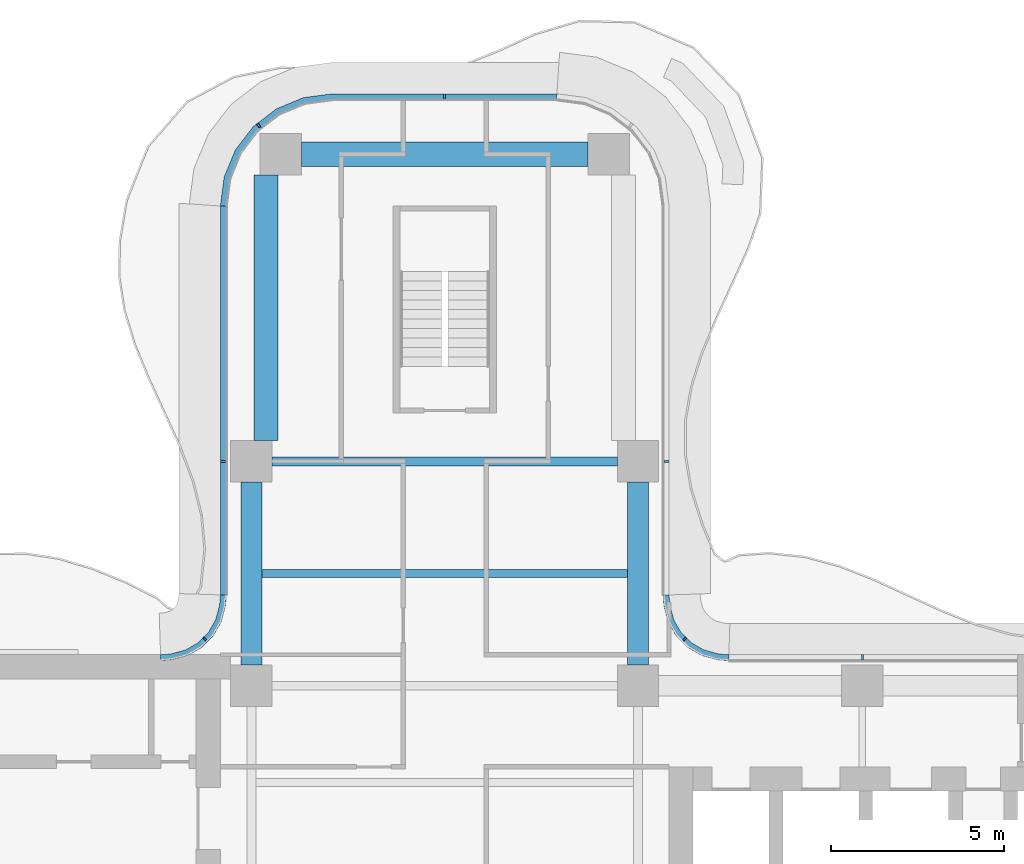
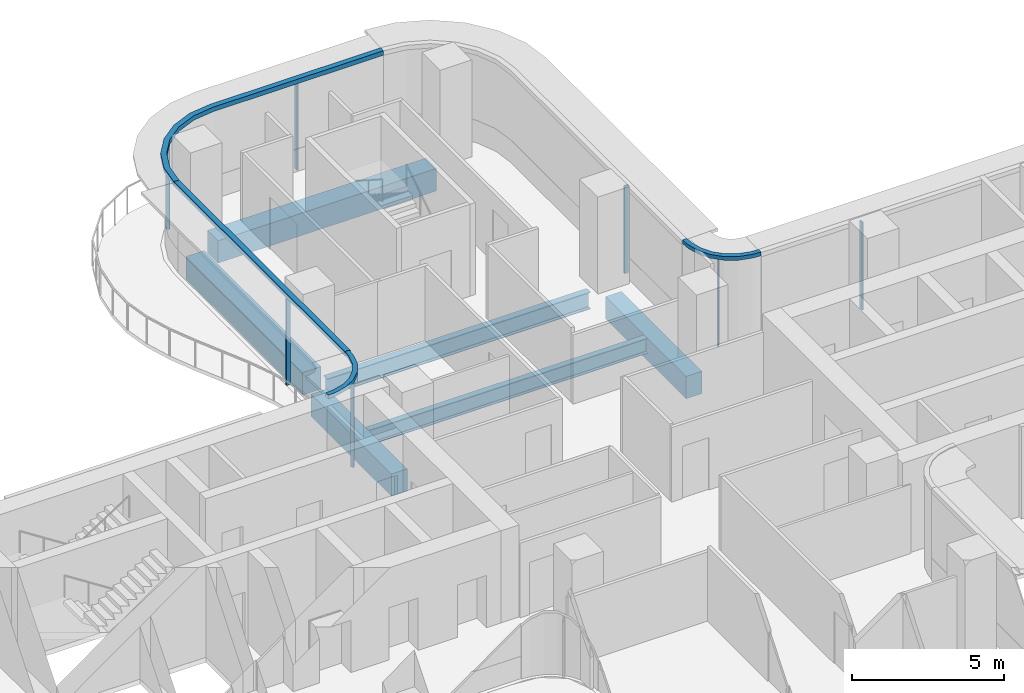
# One storey, part 7 of 18: 11 members, 6 beams, 6 elements without a shape of their own.
"""IFC4 building model written with IfcOpenShell, lengths in metres."""

from ifc_helpers import new_model, si_unit, direction, frame, origin, origin_2d, place, context, subcontext, project, spatial, polyline, rectangle, i_section, outline, extrude, source, transform, mapped, material, layer, layer_set, material_profile, profile_set, type_object, element, aggregate, save


model = new_model("IFC4")

# Units and contexts
model_context = context("Model", 3, precision=1e-05, world=origin(), true_north=direction((0.0, 1.0)))
body_context = subcontext(model_context, "Body", "Model", "MODEL_VIEW")
ifc_project = project(units=[si_unit("LENGTHUNIT", "METRE"), si_unit("AREAUNIT", "SQUARE_METRE"), si_unit("VOLUMEUNIT", "CUBIC_METRE"), si_unit("PLANEANGLEUNIT", "RADIAN"), si_unit("MASSUNIT", "GRAM", prefix="KILO")], contexts=[model_context])

# Site, building, storey
site_placement = place(None, origin())
site = spatial("IfcSite", under=ifc_project, at=site_placement, CompositionType="ELEMENT")
building_placement = place(site_placement, origin())
building = spatial("IfcBuilding", under=site, at=building_placement, Name="Trellis Farm Tower", CompositionType="ELEMENT")
storey_placement = place(building_placement, frame((0.0, 0.0, 201.0)))
storey = spatial("IfcBuildingStorey", under=building, at=storey_placement, Name="L44", CompositionType="ELEMENT", Elevation=201.0)

# Beams
ifc_material_1 = material(Name="Concrete C60/75", Category="concrete")
ifc_material_profile_1 = material_profile(ifc_material_1, rectangle(XDim=0.60009765625, YDim=0.89990234375, at=origin_2d()), Name="RC spandrel beam 600x900 C60/75")
ifc_profile_set_1 = profile_set([ifc_material_profile_1], Name="Concrete C60/75")
beam_type_1 = type_object("IfcBeamType", Name="RC spandrel beam 600x900 C60/75", PredefinedType="SPANDREL", material=ifc_profile_set_1)
shared_shape_1 = source(origin(), body_context, "Body", "SweptSolid", [
    extrude(rectangle(XDim=0.60009765625, YDim=0.89990234375, at=origin_2d()), origin(), (0.0, 0.0, 1.0), 5.300048828125),
])
for number, where, z_axis, x_axis, name in (
    (1, (-5.60009765625, 6.199951171875, -0.64990234375), (0.0, 1.0, 0.0), (-1.0, 0.0, 0.0), "Girder"),
    (2, (5.60009765625, 6.199951171875, -0.64990234375), (0.0, 1.0, 0.0), (-1.0, 0.0, 0.0), "Girder"),
):
    element("IfcBeam", number, at=place(storey_placement, frame(where, z_axis=z_axis, x_axis=x_axis)), inside=storey, type_object=beam_type_1, Name=name, PredefinedType="SPANDREL", context=body_context, shape_type="MappedRepresentation", body=[
        mapped(shared_shape_1, transform((0.0, 0.0, 0.0))),
    ])
ifc_material_2 = material(Name="Steel S355", Category="steel")
ifc_material_profile_2 = material_profile(ifc_material_2, i_section(OverallWidth=0.253662109375, OverallDepth=0.68359375, WebThickness=0.012451171875, FlangeThickness=0.021728515625, FilletRadius=0.01513671875, at=origin_2d()), Name="UB 686x254x140")
ifc_profile_set_2 = profile_set([ifc_material_profile_2], Name="Steel S355")
beam_type_2 = type_object("IfcBeamType", Name="UB 686x254x140", PredefinedType="BEAM", material=ifc_profile_set_2)
shared_shape_2 = source(origin(), body_context, "Body", "SweptSolid", [
    extrude(i_section(OverallWidth=0.253662109375, OverallDepth=0.68359375, WebThickness=0.012451171875, FlangeThickness=0.021728515625, FilletRadius=0.01513671875, at=origin_2d()), origin(), (0.0, 0.0, 1.0), 10.0),
])
beam_1_placement = place(storey_placement, frame((-5.0, 12.10009765625, -0.541748046875), z_axis=(1.0, 0.0, 0.0), x_axis=(0.0, 1.0, 0.0)))
element("IfcBeam", 3, at=beam_1_placement, inside=storey, type_object=beam_type_2, Name="Girder", PredefinedType="BEAM", context=body_context, shape_type="MappedRepresentation", body=[
    mapped(shared_shape_2, transform((0.0, 0.0, 0.0))),
])
ifc_material_profile_3 = material_profile(ifc_material_1, rectangle(XDim=0.699951171875, YDim=0.89990234375, at=origin_2d()), Name="RC spandrel beam 700x900 C60/75")
ifc_profile_set_3 = profile_set([ifc_material_profile_3], Name="Concrete C60/75")
beam_type_3 = type_object("IfcBeamType", Name="RC spandrel beam 700x900 C60/75", PredefinedType="SPANDREL", material=ifc_profile_set_3)
shared_shape_3 = source(origin(), body_context, "Body", "SweptSolid", [
    extrude(rectangle(XDim=0.699951171875, YDim=0.89990234375, at=origin_2d()), origin(), (0.0, 0.0, 1.0), 8.2998046875),
])
beam_2_placement = place(storey_placement, frame((-4.14990234375, 21.0, -0.64990234375), z_axis=(1.0, 0.0, 0.0), x_axis=(0.0, 1.0, 0.0)))
element("IfcBeam", 4, at=beam_2_placement, inside=storey, type_object=beam_type_3, Name="Girder", PredefinedType="SPANDREL", context=body_context, shape_type="MappedRepresentation", body=[
    mapped(shared_shape_3, transform((0.0, 0.0, 0.0))),
])
ifc_material_profile_4 = material_profile(ifc_material_2, i_section(OverallWidth=0.22900390625, OverallDepth=0.6123046875, WebThickness=0.011962890625, FlangeThickness=0.01953125, FilletRadius=0.0126953125, at=origin_2d()), Name="UB 610x229x125")
ifc_profile_set_4 = profile_set([ifc_material_profile_4], Name="Steel S355")
beam_type_4 = type_object("IfcBeamType", Name="UB 610x229x125 joist", PredefinedType="JOIST", material=ifc_profile_set_4)
shared_shape_4 = source(origin(), body_context, "Body", "SweptSolid", [
    extrude(i_section(OverallWidth=0.22900390625, OverallDepth=0.6123046875, WebThickness=0.011962890625, FlangeThickness=0.01953125, FilletRadius=0.0126953125, at=origin_2d()), origin(), (0.0, 0.0, 1.0), 10.60009765625),
])
beam_3_placement = place(storey_placement, frame((-5.300048828125, 8.85009765625, -0.506103515625), z_axis=(1.0, 0.0, 0.0), x_axis=(0.0, 1.0, 0.0)))
element("IfcBeam", 5, at=beam_3_placement, inside=storey, type_object=beam_type_4, Name="Floor beam", PredefinedType="JOIST", context=body_context, shape_type="MappedRepresentation", body=[
    mapped(shared_shape_4, transform((0.0, 0.0, 0.0))),
])
shared_shape_5 = source(origin(), body_context, "Body", "SweptSolid", [
    extrude(rectangle(XDim=0.699951171875, YDim=0.89990234375, at=origin_2d()), origin(), (0.0, 0.0, 1.0), 7.699951171875),
])
beam_4_placement = place(storey_placement, frame((-5.175048828125, 12.699951171875, -0.64990234375), z_axis=(0.0, 1.0, 0.0), x_axis=(-1.0, 0.0, 0.0)))
element("IfcBeam", 6, at=beam_4_placement, inside=storey, type_object=beam_type_3, Name="Girder", PredefinedType="SPANDREL", context=body_context, shape_type="MappedRepresentation", body=[
    mapped(shared_shape_5, transform((0.0, 0.0, 0.0))),
])

# Curtain wall, member
ifc_material_3 = material(Name="Aluminium and glass curtain wall", Category="aluminium")
ifc_layer_1 = layer(ifc_material_3, 0.166015625)
ifc_layer_set_1 = layer_set([ifc_layer_1], Name="WINTER GARDEN CURTAIN WALL CW3")
curtain_wall_type_1 = type_object("IfcCurtainWallType", Name="WINTER GARDEN CURTAIN WALL CW3", PredefinedType="NOTDEFINED", material=ifc_layer_set_1)
placement_1 = place(storey_placement, origin())
curtain_wall_1 = element("IfcCurtainWall", 7, at=placement_1, inside=storey, type_object=curtain_wall_type_1, Name="CW3 003", PredefinedType="NOTDEFINED")
ifc_material_4 = material(Name="Aluminium extrusion 6063-T6", Category="aluminium")
ifc_layer_2 = layer(ifc_material_4, 0.169921875)
ifc_layer_set_2 = layer_set([ifc_layer_2], Name="Aluminium extrusion 6063-T6")
member_type_1 = type_object("IfcMemberType", Name="CW3 TRANSOM 170x150", PredefinedType="USERDEFINED", material=ifc_layer_set_2)
shared_shape_6 = source(origin(), body_context, "Body", "SweptSolid", [
    extrude(outline(polyline([(8.2314453125, 6.5), (8.01953125, 6.513916015625), (7.91552734375, 6.527587890625), (7.508544921875, 6.63671875), (7.144287109375, 6.846923828125), (6.846923828125, 7.144287109375), (6.63671875, 7.508544921875), (6.527587890625, 7.91552734375), (6.513916015625, 8.01953125), (6.5, 8.2314453125), (6.330078125, 8.225830078125), (6.3447265625, 8.0029296875), (6.360595703125, 7.88232421875), (6.478271484375, 7.44287109375), (6.7109375, 7.0400390625), (7.0400390625, 6.7109375), (7.44287109375, 6.478271484375), (7.88232421875, 6.360595703125), (8.0029296875, 6.3447265625), (8.225830078125, 6.330078125), (8.2314453125, 6.5)])), origin(), (0.0, 0.0, 1.0), 0.14990234375),
])
placement_2 = place(storey_placement, frame((0.0, 0.0, 3.550048828125)))
member_1 = element("IfcMember", 8, at=placement_2, type_object=member_type_1, Name="TR3 003", ObjectType="TRANSOM", PredefinedType="USERDEFINED", context=body_context, shape_type="MappedRepresentation", body=[
    mapped(shared_shape_6, transform((0.0, 0.0, 0.0))),
])

curtain_wall_2 = element("IfcCurtainWall", 9, at=placement_1, inside=storey, type_object=curtain_wall_type_1, Name="CW3 004", PredefinedType="NOTDEFINED")
shared_shape_7 = source(origin(), body_context, "Body", "SweptSolid", [
    extrude(outline(polyline([(-6.5, 8.2314453125), (-6.513916015625, 8.01953125), (-6.527587890625, 7.91552734375), (-6.63671875, 7.508544921875), (-6.846923828125, 7.144287109375), (-7.144287109375, 6.846923828125), (-7.508544921875, 6.63671875), (-7.91552734375, 6.527587890625), (-8.01953125, 6.513916015625), (-8.2314453125, 6.5), (-8.225830078125, 6.330078125), (-8.0029296875, 6.3447265625), (-7.88232421875, 6.360595703125), (-7.44287109375, 6.478271484375), (-7.0400390625, 6.7109375), (-6.7109375, 7.0400390625), (-6.478271484375, 7.44287109375), (-6.360595703125, 7.88232421875), (-6.3447265625, 8.0029296875), (-6.330078125, 8.225830078125), (-6.5, 8.2314453125)])), origin(), (0.0, 0.0, 1.0), 0.14990234375),
])
member_2 = element("IfcMember", 10, at=placement_2, type_object=member_type_1, Name="TR3 004", ObjectType="TRANSOM", PredefinedType="USERDEFINED", context=body_context, shape_type="MappedRepresentation", body=[
    mapped(shared_shape_7, transform((0.0, 0.0, 0.0))),
])

ifc_layer_3 = layer(ifc_material_3, 0.18994140625)
ifc_layer_set_3 = layer_set([ifc_layer_3], Name="RIBBON CURTAIN WALL CW1")
curtain_wall_type_2 = type_object("IfcCurtainWallType", Name="RIBBON CURTAIN WALL CW1", PredefinedType="NOTDEFINED", material=ifc_layer_set_3)
curtain_wall_3 = element("IfcCurtainWall", 11, at=placement_1, inside=storey, type_object=curtain_wall_type_2, Name="CW1 008", PredefinedType="NOTDEFINED")
ifc_material_profile_5 = material_profile(ifc_material_4, rectangle(XDim=0.06005859375, YDim=0.14990234375, at=origin_2d()), Name="MULLION 60x150")
ifc_profile_set_5 = profile_set([ifc_material_profile_5], Name="Aluminium extrusion 6063-T6")
member_type_2 = type_object("IfcMemberType", Name="CW1 MULLION 60x150", PredefinedType="MULLION", material=ifc_profile_set_5)
shared_shape_8 = source(origin(), body_context, "Body", "SweptSolid", [
    extrude(rectangle(XDim=0.06005859375, YDim=0.14990234375, at=origin_2d()), origin(), (0.0, 0.0, 1.0), 3.52001953125),
])
member_3_placement = place(storey_placement, frame((12.10009765625, 6.425048828125, 0.0), z_axis=(0.0, 0.0, 1.0), x_axis=(-1.0, 0.0, 0.0)))
member_3 = element("IfcMember", 12, at=member_3_placement, type_object=member_type_2, Name="MU1 008-02", PredefinedType="MULLION", context=body_context, shape_type="MappedRepresentation", body=[
    mapped(shared_shape_8, transform((0.0, 0.0, 0.0))),
])
aggregate(curtain_wall_3, [member_3])

curtain_wall_4 = element("IfcCurtainWall", 13, at=placement_1, inside=storey, type_object=curtain_wall_type_2, Name="CW1 009", PredefinedType="NOTDEFINED")
member_4_placement = place(storey_placement, frame((6.425048828125, 12.10009765625, 0.0), z_axis=(0.0, 0.0, 1.0), x_axis=(0.0, 1.0, 0.0)))
member_4 = element("IfcMember", 14, at=member_4_placement, type_object=member_type_2, Name="MU1 009-01", PredefinedType="MULLION", context=body_context, shape_type="MappedRepresentation", body=[
    mapped(shared_shape_8, transform((0.0, 0.0, 0.0))),
])
aggregate(curtain_wall_4, [member_4])

# Curtain wall, members
curtain_wall_5 = element("IfcCurtainWall", 15, at=placement_1, inside=storey, type_object=curtain_wall_type_2, Name="CW1 010", PredefinedType="NOTDEFINED")
member_5_placement = place(storey_placement, frame((0.0, 22.675048828125, 0.0), z_axis=(0.0, 0.0, 1.0), x_axis=(-1.0, 0.0, 0.0)))
member_5 = element("IfcMember", 16, at=member_5_placement, type_object=member_type_2, Name="MU1 010-01", PredefinedType="MULLION", context=body_context, shape_type="MappedRepresentation", body=[
    mapped(shared_shape_8, transform((0.0, 0.0, 0.0))),
])
member_6_placement = place(storey_placement, frame((-5.385498046875, 21.828369140625, 0.0), z_axis=(0.0, 0.0, 1.0), x_axis=(-0.793353340291, -0.608761429009, 0.0)))
member_6 = element("IfcMember", 17, at=member_6_placement, type_object=member_type_2, Name="MU1 010-02", PredefinedType="MULLION", context=body_context, shape_type="MappedRepresentation", body=[
    mapped(shared_shape_8, transform((0.0, 0.0, 0.0))),
])

# Curtain wall, member
curtain_wall_6 = element("IfcCurtainWall", 18, at=placement_1, inside=storey, type_object=curtain_wall_type_2, Name="CW1 011", PredefinedType="NOTDEFINED")
member_7_placement = place(storey_placement, frame((-6.425048828125, 12.10009765625, 0.0), z_axis=(0.0, 0.0, 1.0), x_axis=(0.0, -1.0, 0.0)))
member_7 = element("IfcMember", 19, at=member_7_placement, type_object=member_type_2, Name="MU1 011-01", PredefinedType="MULLION", context=body_context, shape_type="MappedRepresentation", body=[
    mapped(shared_shape_8, transform((0.0, 0.0, 0.0))),
])

# Member
ifc_material_profile_6 = material_profile(ifc_material_4, rectangle(XDim=0.050048828125, YDim=0.1201171875, at=origin_2d()), Name="MULLION 50x120")
ifc_profile_set_6 = profile_set([ifc_material_profile_6], Name="Aluminium extrusion 6063-T6")
member_type_3 = type_object("IfcMemberType", Name="CW3 MULLION 50x120", PredefinedType="MULLION", material=ifc_profile_set_6)
shared_shape_9 = source(origin(), body_context, "Body", "SweptSolid", [
    extrude(rectangle(XDim=0.050048828125, YDim=0.1201171875, at=origin_2d()), origin(), (0.0, 0.0, 1.0), 3.550048828125),
])
member_8_placement = place(storey_placement, frame((6.953125, 6.953125, 0.0), z_axis=(0.0, 0.0, 1.0), x_axis=(-0.707106781187, 0.707106781187, 0.0)))
member_8 = element("IfcMember", 20, at=member_8_placement, type_object=member_type_3, Name="MU3 003-01", PredefinedType="MULLION", context=body_context, shape_type="MappedRepresentation", body=[
    mapped(shared_shape_9, transform((0.0, 0.0, 0.0))),
])

aggregate(curtain_wall_1, [member_8, member_1])

member_9_placement = place(storey_placement, frame((-6.953125, 6.953125, 0.0), z_axis=(0.0, 0.0, 1.0), x_axis=(-0.707106781187, -0.707106781187, 0.0)))
member_9 = element("IfcMember", 21, at=member_9_placement, type_object=member_type_3, Name="MU3 004-01", PredefinedType="MULLION", context=body_context, shape_type="MappedRepresentation", body=[
    mapped(shared_shape_9, transform((0.0, 0.0, 0.0))),
])

aggregate(curtain_wall_2, [member_9, member_2])

ifc_layer_4 = layer(ifc_material_4, 0.199951171875)
ifc_layer_set_4 = layer_set([ifc_layer_4], Name="Aluminium extrusion 6063-T6")
member_type_4 = type_object("IfcMemberType", Name="CW1 TRANSOM 200x180", PredefinedType="USERDEFINED", material=ifc_layer_set_4)
shared_shape_10 = source(origin(), body_context, "Body", "SweptSolid", [
    extrude(outline(polyline([(3.25, 22.75), (-3.25, 22.75), (-4.091064453125, 22.63916015625), (-4.875, 22.314697265625), (-5.548095703125, 21.798095703125), (-6.064697265625, 21.125), (-6.38916015625, 20.341064453125), (-6.5, 19.5), (-6.300048828125, 19.48681640625), (-6.1943359375, 20.2890625), (-5.889892578125, 21.024169921875), (-5.405517578125, 21.655517578125), (-4.774169921875, 22.139892578125), (-4.0390625, 22.4443359375), (-3.23681640625, 22.550048828125), (3.23681640625, 22.550048828125), (3.25, 22.75)])), origin(), (0.0, 0.0, 1.0), 0.179931640625),
])
placement_3 = place(storey_placement, frame((0.0, 0.0, 3.52001953125)))
member_10 = element("IfcMember", 22, at=placement_3, type_object=member_type_4, Name="TR1 010", ObjectType="TRANSOM", PredefinedType="USERDEFINED", context=body_context, shape_type="MappedRepresentation", body=[
    mapped(shared_shape_10, transform((0.0, 0.0, 0.0))),
])

aggregate(curtain_wall_5, [member_5, member_6, member_10])

shared_shape_11 = source(origin(), body_context, "Body", "SweptSolid", [
    extrude(outline(polyline([(-6.5, 19.5), (-6.5, 8.2314453125), (-6.300048828125, 8.224853515625), (-6.300048828125, 19.48681640625), (-6.5, 19.5)])), origin(), (0.0, 0.0, 1.0), 0.179931640625),
])
member_11 = element("IfcMember", 23, at=placement_3, type_object=member_type_4, Name="TR1 011", ObjectType="TRANSOM", PredefinedType="USERDEFINED", context=body_context, shape_type="MappedRepresentation", body=[
    mapped(shared_shape_11, transform((0.0, 0.0, 0.0))),
])

aggregate(curtain_wall_6, [member_7, member_11])

save(model, "model.ifc")
